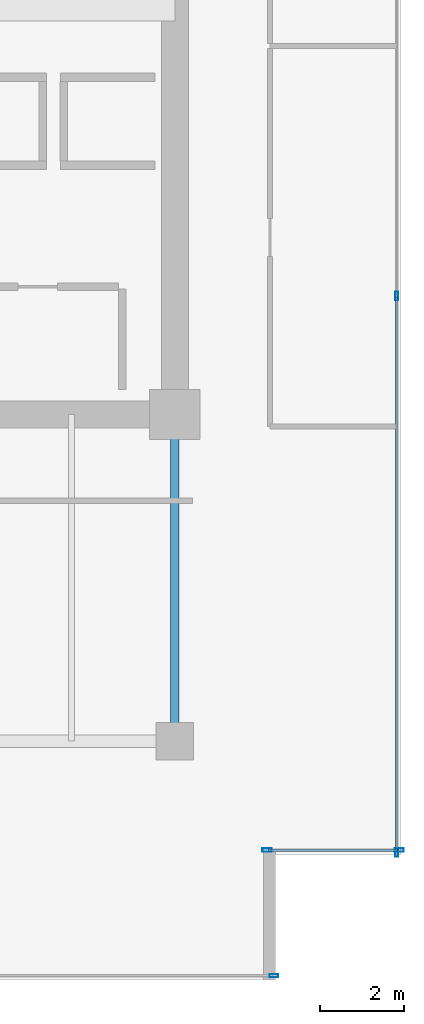
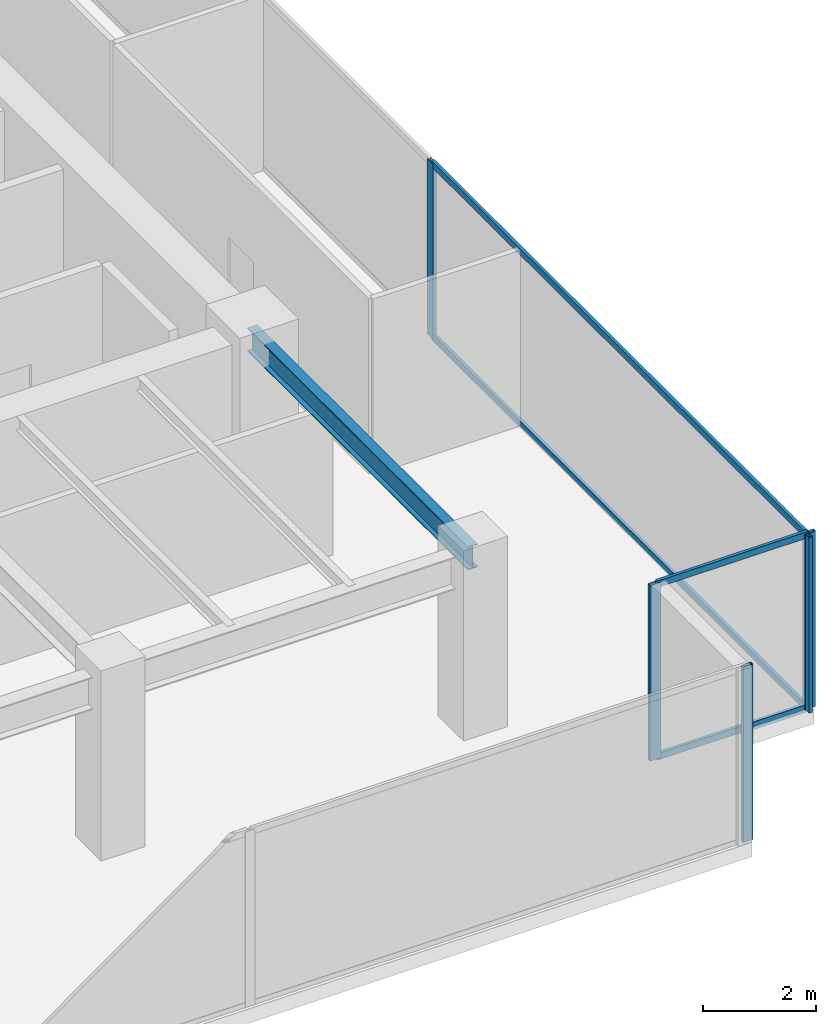
# One storey, part 21 of 30: 9 members, 1 beam, 3 elements without a shape of their own.
"""IFC4 building model written with IfcOpenShell, lengths in metres."""

from ifc_helpers import new_model, si_unit, direction, frame, origin, origin_2d, place, context, subcontext, project, spatial, hollow_rectangle, i_section, extrude, source, transform, mapped, material, layer, layer_set, material_profile, profile_set, type_object, type_shapes, element, aggregate, save


model = new_model("IFC4")

# Units and contexts
model_context = context("Model", 3, precision=1e-05, world=origin(), true_north=direction((0.0, 1.0)))
body_context = subcontext(model_context, "Body", "Model", "MODEL_VIEW")
ifc_project = project(units=[si_unit("LENGTHUNIT", "METRE"), si_unit("AREAUNIT", "SQUARE_METRE"), si_unit("VOLUMEUNIT", "CUBIC_METRE"), si_unit("PLANEANGLEUNIT", "RADIAN"), si_unit("MASSUNIT", "GRAM", prefix="KILO")], contexts=[model_context])

# Site, building, storey
site_placement = place(None, origin())
site = spatial("IfcSite", under=ifc_project, at=site_placement, CompositionType="ELEMENT")
building_placement = place(site_placement, origin())
building = spatial("IfcBuilding", under=site, at=building_placement, Name="Haelvirn Gate Laboratories", CompositionType="ELEMENT")
storey_placement = place(building_placement, frame((0.0, 0.0, 183.0)))
storey = spatial("IfcBuildingStorey", under=building, at=storey_placement, Name="L44", CompositionType="ELEMENT", Elevation=183.0)

# Beam
ifc_material_1 = material(Name="Steel SM355", Category="steel")
ifc_material_profile_1 = material_profile(ifc_material_1, i_section(OverallWidth=0.199951171875, OverallDepth=0.5, WebThickness=0.010009765625, FlangeThickness=0.01611328125, at=origin_2d()), Name="H-500x200x10x16")
ifc_profile_set_1 = profile_set([ifc_material_profile_1], Name="Steel SM355")
beam_type = type_object("IfcBeamType", Name="BM-SP-500", PredefinedType="SPANDREL", material=ifc_profile_set_1)
shared_shape_1 = source(origin(), body_context, "Body", "SweptSolid", [
    extrude(i_section(OverallWidth=0.199951171875, OverallDepth=0.5, WebThickness=0.010009765625, FlangeThickness=0.01611328125, at=origin_2d()), origin(), (0.0, 0.0, 1.0), 7.800048828125),
])
type_shapes(beam_type, [shared_shape_1])
beam_placement = place(storey_placement, frame((67.39990234375, 7.0, 3.5400390625), z_axis=(0.0, 1.0, 0.0), x_axis=(-1.0, 0.0, 0.0)))
element("IfcBeam", 1, at=beam_placement, inside=storey, type_object=beam_type, Name="L44 Perimeter Spandrel X67.4 (7.0-14.8)", PredefinedType="SPANDREL", context=body_context, shape_type="MappedRepresentation", body=[
    mapped(shared_shape_1, transform((0.0, 0.0, 0.0), scale=1.0)),
])

# Curtain wall, members
ifc_material_2 = material(Name="Anodised bronze unitised aluminium & triple low-E glass", Category="aluminium")
ifc_layer_1 = layer(ifc_material_2, 0.181884765625, Name="CW-SYS-5")
ifc_layer_set_1 = layer_set([ifc_layer_1], Name="Anodised bronze unitised aluminium & triple low-E glass")
curtain_wall_type_1 = type_object("IfcCurtainWallType", Name="CW-SYS-5", PredefinedType="NOTDEFINED", material=ifc_layer_set_1)
curtain_wall_1_placement = place(storey_placement, origin())
curtain_wall_1 = element("IfcCurtainWall", 2, at=curtain_wall_1_placement, inside=storey, type_object=curtain_wall_type_1, Name="L44 Unitised Curtain Wall CW-L44-P0-E06-1", PredefinedType="NOTDEFINED")
ifc_material_3 = material(Name="Extruded aluminium 6063-T6 (anodised bronze)", Category="aluminium")
ifc_material_profile_2 = material_profile(ifc_material_3, hollow_rectangle(XDim=0.06494140625, YDim=0.139892578125, WallThickness=0.00390625, at=origin_2d()), Name="CWT-140x65x4")
ifc_profile_set_2 = profile_set([ifc_material_profile_2], Name="Extruded aluminium 6063-T6 (anodised bronze)")
member_type_1 = type_object("IfcMemberType", Name="CWT-T140", PredefinedType="USERDEFINED", material=ifc_profile_set_2)
shared_shape_2 = source(origin(), body_context, "Body", "SweptSolid", [
    extrude(hollow_rectangle(XDim=0.06494140625, YDim=0.139892578125, WallThickness=0.00390625, at=origin_2d()), origin(), (0.0, 0.0, 1.0), 3.080078125),
])
member_1_placement = place(storey_placement, frame((69.639892578125, 4.39990234375, 0.032470703125), z_axis=(1.0, 0.0, 0.0), x_axis=(0.0, 1.0, 0.0)))
member_1 = element("IfcMember", 3, at=member_1_placement, type_object=member_type_1, Name="CW5 transom 1.1", ObjectType="TRANSOM", PredefinedType="USERDEFINED", context=body_context, shape_type="MappedRepresentation", body=[
    mapped(shared_shape_2, transform((0.0, 0.0, 0.0), scale=1.0)),
])
member_2_placement = place(storey_placement, frame((69.639892578125, 4.39990234375, 3.757568359375), z_axis=(1.0, 0.0, 0.0), x_axis=(0.0, 1.0, 0.0)))
member_2 = element("IfcMember", 4, at=member_2_placement, type_object=member_type_1, Name="CW5 transom 1.2", ObjectType="TRANSOM", PredefinedType="USERDEFINED", context=body_context, shape_type="MappedRepresentation", body=[
    mapped(shared_shape_2, transform((0.0, 0.0, 0.0), scale=1.0)),
])

ifc_layer_2 = layer(ifc_material_2, 0.179931640625, Name="CW-SYS-3")
ifc_layer_set_2 = layer_set([ifc_layer_2], Name="Anodised bronze unitised aluminium & triple low-E glass")
curtain_wall_type_2 = type_object("IfcCurtainWallType", Name="CW-SYS-3", PredefinedType="NOTDEFINED", material=ifc_layer_set_2)
curtain_wall_2_placement = place(storey_placement, origin())
curtain_wall_2 = element("IfcCurtainWall", 5, at=curtain_wall_2_placement, inside=storey, type_object=curtain_wall_type_2, Name="L44 Unitised Curtain Wall CW-L44-P0-E07", PredefinedType="NOTDEFINED")
shared_shape_3 = source(origin(), body_context, "Body", "SweptSolid", [
    extrude(hollow_rectangle(XDim=0.06494140625, YDim=0.139892578125, WallThickness=0.00390625, at=origin_2d()), origin(), (0.0, 0.0, 1.0), 13.220947265625),
])
type_shapes(member_type_1, [shared_shape_2, shared_shape_3])
member_3_placement = place(storey_placement, frame((72.699951171875, 4.375, 0.032470703125), z_axis=(0.0, 1.0, 0.0), x_axis=(-1.0, 0.0, 0.0)))
member_3 = element("IfcMember", 6, at=member_3_placement, type_object=member_type_1, Name="CW3 transom 1.1", ObjectType="TRANSOM", PredefinedType="USERDEFINED", context=body_context, shape_type="MappedRepresentation", body=[
    mapped(shared_shape_3, transform((0.0, 0.0, 0.0), scale=1.0)),
])
member_4_placement = place(storey_placement, frame((72.699951171875, 4.375, 3.757568359375), z_axis=(0.0, 1.0, 0.0), x_axis=(-1.0, 0.0, 0.0)))
member_4 = element("IfcMember", 7, at=member_4_placement, type_object=member_type_1, Name="CW3 transom 1.2", ObjectType="TRANSOM", PredefinedType="USERDEFINED", context=body_context, shape_type="MappedRepresentation", body=[
    mapped(shared_shape_3, transform((0.0, 0.0, 0.0), scale=1.0)),
])

# Curtain wall, member
curtain_wall_3_placement = place(storey_placement, origin())
curtain_wall_3 = element("IfcCurtainWall", 8, at=curtain_wall_3_placement, inside=storey, type_object=curtain_wall_type_2, Name="L44 Unitised Curtain Wall CW-L44-P0-E04-1", PredefinedType="NOTDEFINED")
ifc_material_profile_3 = material_profile(ifc_material_3, hollow_rectangle(XDim=0.074951171875, YDim=0.199951171875, WallThickness=0.0048828125, at=origin_2d()), Name="CWM-200x75x5")
ifc_profile_set_3 = profile_set([ifc_material_profile_3], Name="Extruded aluminium 6063-T6 (anodised bronze)")
member_type_2 = type_object("IfcMemberType", Name="CWM-T200", PredefinedType="MULLION", material=ifc_profile_set_3)
shared_shape_4 = source(origin(), body_context, "Body", "SweptSolid", [
    extrude(hollow_rectangle(XDim=0.074951171875, YDim=0.199951171875, WallThickness=0.0048828125, at=origin_2d()), origin(), (0.0, 0.0, 1.0), 3.7900390625),
])
type_shapes(member_type_2, [shared_shape_4])
member_5_placement = place(storey_placement, frame((69.762451171875, 1.39990234375, 0.0), z_axis=(0.0, 0.0, 1.0), x_axis=(0.0, 1.0, 0.0)))
member_5 = element("IfcMember", 9, at=member_5_placement, type_object=member_type_2, Name="CW3 mullion 3", PredefinedType="MULLION", context=body_context, shape_type="MappedRepresentation", body=[
    mapped(shared_shape_4, transform((0.0, 0.0, 0.0), scale=1.0)),
])
aggregate(curtain_wall_3, [member_5])

# Member
member_6_placement = place(storey_placement, frame((72.699951171875, 4.33740234375, 0.0), z_axis=(0.0, 0.0, 1.0), x_axis=(-1.0, 0.0, 0.0)))
member_6 = element("IfcMember", 10, at=member_6_placement, type_object=member_type_2, Name="CW3 mullion 1", PredefinedType="MULLION", context=body_context, shape_type="MappedRepresentation", body=[
    mapped(shared_shape_4, transform((0.0, 0.0, 0.0), scale=1.0)),
])

member_7_placement = place(storey_placement, frame((72.699951171875, 17.63330078125, 0.0), z_axis=(0.0, 0.0, 1.0), x_axis=(-1.0, 0.0, 0.0)))
member_7 = element("IfcMember", 11, at=member_7_placement, type_object=member_type_2, Name="CW3 mullion 2", PredefinedType="MULLION", context=body_context, shape_type="MappedRepresentation", body=[
    mapped(shared_shape_4, transform((0.0, 0.0, 0.0), scale=1.0)),
])

aggregate(curtain_wall_2, [member_6, member_7, member_3, member_4])

ifc_material_profile_4 = material_profile(ifc_material_3, hollow_rectangle(XDim=0.080078125, YDim=0.219970703125, WallThickness=0.006103515625, at=origin_2d()), Name="CWM-220x80x6")
ifc_profile_set_4 = profile_set([ifc_material_profile_4], Name="Extruded aluminium 6063-T6 (anodised bronze)")
member_type_3 = type_object("IfcMemberType", Name="CWM-T220", PredefinedType="MULLION", material=ifc_profile_set_4)
shared_shape_5 = source(origin(), body_context, "Body", "SweptSolid", [
    extrude(hollow_rectangle(XDim=0.080078125, YDim=0.219970703125, WallThickness=0.006103515625, at=origin_2d()), origin(), (0.0, 0.0, 1.0), 3.7900390625),
])
type_shapes(member_type_3, [shared_shape_5])
member_8_placement = place(storey_placement, frame((69.60009765625, 4.39990234375, 0.0), z_axis=(0.0, 0.0, 1.0), x_axis=(0.0, 1.0, 0.0)))
member_8 = element("IfcMember", 12, at=member_8_placement, type_object=member_type_3, Name="CW5 mullion 1", PredefinedType="MULLION", context=body_context, shape_type="MappedRepresentation", body=[
    mapped(shared_shape_5, transform((0.0, 0.0, 0.0), scale=1.0)),
])

member_9_placement = place(storey_placement, frame((72.760009765625, 4.39990234375, 0.0), z_axis=(0.0, 0.0, 1.0), x_axis=(0.0, 1.0, 0.0)))
member_9 = element("IfcMember", 13, at=member_9_placement, type_object=member_type_3, Name="CW5 mullion 2", PredefinedType="MULLION", context=body_context, shape_type="MappedRepresentation", body=[
    mapped(shared_shape_5, transform((0.0, 0.0, 0.0), scale=1.0)),
])

aggregate(curtain_wall_1, [member_8, member_9, member_1, member_2])

save(model, "model.ifc")
